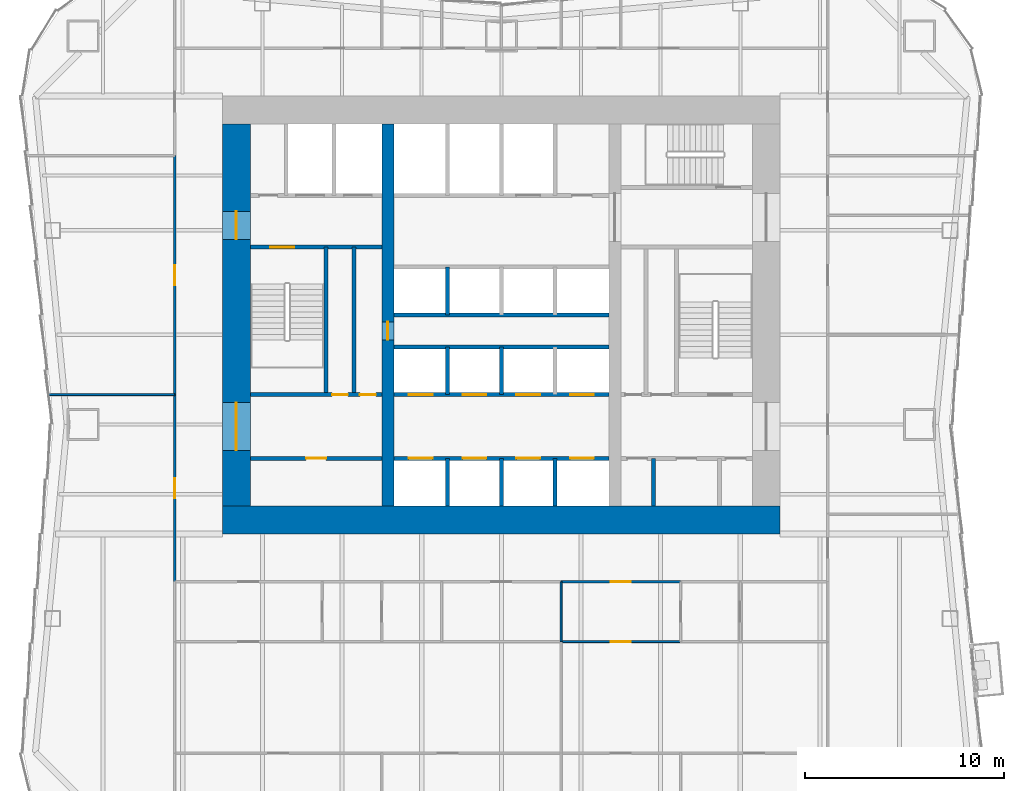
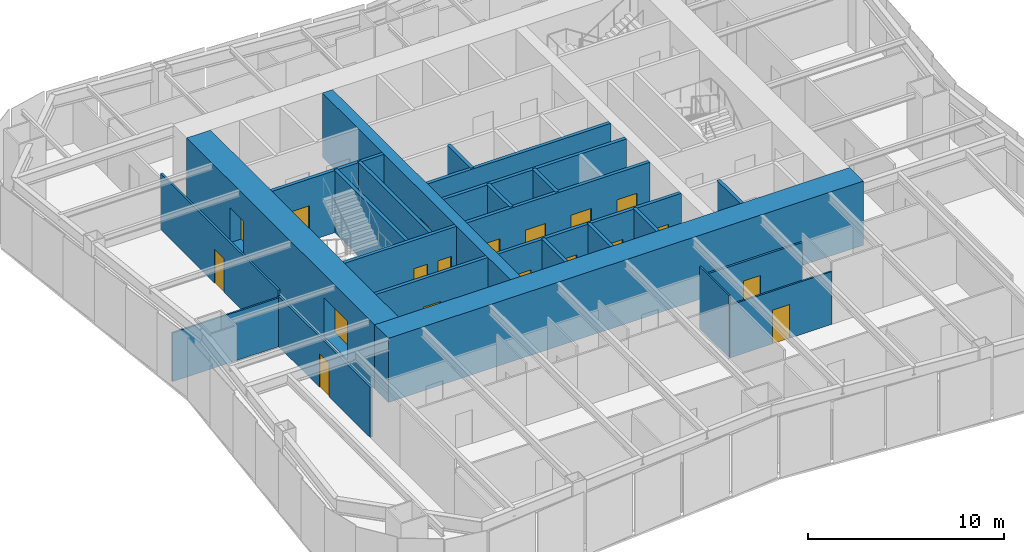
# One storey, part 4 of 9: 25 walls, 19 doors, 19 openings.
"""IFC4 building model written with IfcOpenShell, lengths in metres."""

import ifcopenshell
import ifcopenshell.guid

model = None  # the IFC model being written
_history = None  # IfcOwnerHistory: only IFC2X3 demands one
_inside = {}  # id of a spatial element -> (the spatial element, [elements in it])
_under = {}  # id of a project, library or spatial element -> (it, [spatial elements below it])
_declared = {}  # id of a project -> (the project, [libraries it declares])
_typed = {}  # id of a type object -> (the type object, [elements of that type])
_made_of = {}  # id of a material, layer set ... -> (it, [elements and type objects made of it])


def new_model(schema):
    """Start an empty IFC model of exactly this schema.

    Asked for "IFC4X3", IfcOpenShell would pick the latest addendum, in which some entities
    have other attributes; the version numbers below select the first issue.
    IFC2X3 requires an IfcOwnerHistory on every rooted entity: one is made here for all.
    """
    global model, _history
    if schema == "IFC4X3":
        model = ifcopenshell.file(schema_version=(4, 3, 0, 0))
    else:
        model = ifcopenshell.file(schema=schema)
    _inside.clear()
    _under.clear()
    _declared.clear()
    _typed.clear()
    _made_of.clear()
    _history = None
    if model.schema == "IFC2X3":
        org = make("IfcOrganization", Name="unknown")
        user = make(
            "IfcPersonAndOrganization",
            ThePerson=make("IfcPerson", FamilyName="unknown"),
            TheOrganization=org,
        )
        app = make(
            "IfcApplication",
            ApplicationDeveloper=org,
            Version="unknown",
            ApplicationFullName="unknown",
            ApplicationIdentifier="unknown",
        )
        _history = make(
            "IfcOwnerHistory",
            OwningUser=user,
            OwningApplication=app,
            ChangeAction="ADDED",
            CreationDate=0,
        )
    return model


def make(cls, **values):
    """One entity of the class cls with the attributes given. An attribute that is None is left unset."""
    return model.create_entity(
        cls, **{name: value for name, value in values.items() if value is not None}
    )


def rooted(cls, **values):
    """An entity with a GlobalId (a new one), such as an element, a storey or a relation."""
    return make(cls, GlobalId=ifcopenshell.guid.new(), OwnerHistory=_history, **values)


def si_unit(unit_type, name, prefix=None):
    """IfcSIUnit, for example si_unit("LENGTHUNIT", "METRE", prefix="MILLI")."""
    return make("IfcSIUnit", UnitType=unit_type, Prefix=prefix, Name=name)


def assignment(units):
    """IfcUnitAssignment: the units of a project."""
    return None if units is None else make("IfcUnitAssignment", Units=units)


def point(xyz):
    """IfcCartesianPoint."""
    return None if xyz is None else make("IfcCartesianPoint", Coordinates=xyz)


def direction(xyz):
    """IfcDirection."""
    return None if xyz is None else make("IfcDirection", DirectionRatios=xyz)


def frame(location, z_axis=None, x_axis=None):
    """IfcAxis2Placement3D, a coordinate frame: its origin and axes. An axis left out is left unset."""
    return make(
        "IfcAxis2Placement3D",
        Location=point(location),
        Axis=direction(z_axis),
        RefDirection=direction(x_axis),
    )


def frame_2d(location, x_axis=None):
    """IfcAxis2Placement2D, a coordinate frame in the plane: its origin and x axis."""
    return make(
        "IfcAxis2Placement2D", Location=point(location), RefDirection=direction(x_axis)
    )


def origin():
    """The frame at (0, 0, 0) with its axes left unset."""
    return frame((0.0, 0.0, 0.0))


def place(relative_to, where):
    """IfcLocalPlacement: puts the frame where relative to a parent placement (None: the world)."""
    return make(
        "IfcLocalPlacement", PlacementRelTo=relative_to, RelativePlacement=where
    )


def context(
    kind, dimensions, precision=None, world=None, true_north=None, identifier=None
):
    """IfcGeometricRepresentationContext, for example the 3D "Model" context."""
    return make(
        "IfcGeometricRepresentationContext",
        ContextIdentifier=identifier,
        ContextType=kind,
        CoordinateSpaceDimension=dimensions,
        Precision=precision,
        WorldCoordinateSystem=world,
        TrueNorth=true_north,
    )


def subcontext(parent, identifier, kind, view, scale=None):
    """IfcGeometricRepresentationSubContext, for example "Body" below "Model"."""
    return make(
        "IfcGeometricRepresentationSubContext",
        ContextIdentifier=identifier,
        ContextType=kind,
        ParentContext=parent,
        TargetScale=scale,
        TargetView=view,
    )


def project(units=None, contexts=None):
    """IfcProject with its units and contexts."""
    return rooted(
        "IfcProject",
        Name="project",
        RepresentationContexts=contexts,
        UnitsInContext=assignment(units),
    )


def spatial(cls, under=None, at=None, **own):
    """A site, building, storey or space (cls), placed at a placement, below another one or the project."""
    s = rooted(cls, ObjectPlacement=at, **own)
    if under is not None:
        _under.setdefault(under.id(), (under, []))[1].append(s)
    return s


def profile(cls, at=None, kind="AREA", **sizes):
    """A parametric profile (cls). Its sizes go by their IFC names, for example OverallWidth=200.0."""
    return make(cls, ProfileType=kind, Position=at, **sizes)


def rectangle(**sizes):
    """IfcRectangleProfileDef."""
    return profile("IfcRectangleProfileDef", **sizes)


def extrude(swept, where, along, depth):
    """IfcExtrudedAreaSolid: the profile swept, set in the frame where, extruded along a direction by depth."""
    return make(
        "IfcExtrudedAreaSolid",
        SweptArea=swept,
        Position=where,
        ExtrudedDirection=direction(along),
        Depth=depth,
    )


def shape(context_of_items, identifier, shape_type, items):
    """IfcShapeRepresentation: the items that make up one representation, for example the "Body"."""
    return make(
        "IfcShapeRepresentation",
        ContextOfItems=context_of_items,
        RepresentationIdentifier=identifier,
        RepresentationType=shape_type,
        Items=items,
    )


def material(Name=None, Category=None):
    """IfcMaterial."""
    return make("IfcMaterial", Name=Name, Category=Category)


def layer(
    of_material, thickness, ventilated=None, Name=None, Category=None, Priority=None
):
    """IfcMaterialLayer: one layer of a wall or slab, of a material (None: an air gap)."""
    return make(
        "IfcMaterialLayer",
        Material=of_material,
        LayerThickness=thickness,
        IsVentilated=ventilated,
        Name=Name,
        Category=Category,
        Priority=Priority,
    )


def layer_set(layers, Name=None):
    """IfcMaterialLayerSet."""
    return make("IfcMaterialLayerSet", MaterialLayers=layers, LayerSetName=Name)


def made_of(thing, what):
    """Note that an element or type object is made of a material, layer set ...; save() writes the relation."""
    if what is not None:
        _made_of.setdefault(what.id(), (what, []))[1].append(thing)
    return thing


def type_object(cls, material=None, **own):
    """A type object (cls), such as IfcWallType, which elements share."""
    return made_of(rooted(cls, **own), material)


def element(
    cls,
    number,
    at=None,
    inside=None,
    cuts=None,
    type_object=None,
    material=None,
    context=None,
    identifier="Body",
    shape_type=None,
    held_by="IfcProductDefinitionShape",
    body=None,
    shapes=None,
    **own,
):
    """One element of the class cls, such as IfcWall. Its Tag is "e" and its number.

    at: its placement. inside: the storey or other place that contains it. cuts: it is an
    opening in that element (IfcRelVoidsElement). A single representation is given by context,
    identifier, shape_type and body (its items); several are given by shapes. held_by: the class
    of the entity that holds the representations. save() writes the other relations.
    """
    e = rooted(cls, Tag="e%d" % number, ObjectPlacement=at, **own)
    if body is not None:
        shapes = [shape(context, identifier, shape_type, body)]
    if shapes is not None:
        e.Representation = make(held_by, Representations=shapes)
    if inside is not None:
        _inside.setdefault(inside.id(), (inside, []))[1].append(e)
    if cuts is not None:
        rooted(
            "IfcRelVoidsElement", RelatingBuildingElement=cuts, RelatedOpeningElement=e
        )
    if type_object is not None:
        _typed.setdefault(type_object.id(), (type_object, []))[1].append(e)
    return made_of(e, material)


def fill(opening, filler):
    """IfcRelFillsElement: the door or window that sits in an opening."""
    return rooted(
        "IfcRelFillsElement",
        RelatingOpeningElement=opening,
        RelatedBuildingElement=filler,
    )


def aggregate(whole, parts):
    """IfcRelAggregates: a whole, such as a stair, and the parts it consists of."""
    return rooted("IfcRelAggregates", RelatingObject=whole, RelatedObjects=parts)


def save(model, path):
    """Write the relations noted so far, then the file.

    IfcRelAggregates (storeys below a building ...), IfcRelContainedInSpatialStructure (elements
    in a storey), IfcRelDefinesByType, IfcRelAssociatesMaterial and IfcRelDeclares: one each for
    every whole, place, type object, material and project.
    """
    for whole, parts in _under.values():
        aggregate(whole, parts)
    for where, things in _inside.values():
        rooted(
            "IfcRelContainedInSpatialStructure",
            RelatedElements=things,
            RelatingStructure=where,
        )
    for kind, things in _typed.values():
        rooted("IfcRelDefinesByType", RelatedObjects=things, RelatingType=kind)
    for what, things in _made_of.values():
        rooted("IfcRelAssociatesMaterial", RelatedObjects=things, RelatingMaterial=what)
    for by, libraries in _declared.values():
        rooted("IfcRelDeclares", RelatingContext=by, RelatedDefinitions=libraries)
    model.write(path)


model = new_model("IFC4")

# Units and contexts
model_context = context("Model", 3, precision=1e-05, world=origin(), true_north=direction((0.0, 1.0)))
body_context = subcontext(model_context, "Body", "Model", "MODEL_VIEW")
ifc_project = project(units=[si_unit("LENGTHUNIT", "METRE"), si_unit("AREAUNIT", "SQUARE_METRE"), si_unit("VOLUMEUNIT", "CUBIC_METRE"), si_unit("PLANEANGLEUNIT", "RADIAN"), si_unit("MASSUNIT", "GRAM", prefix="KILO")], contexts=[model_context])

# Site, building, storey
site_placement = place(None, origin())
site = spatial("IfcSite", under=ifc_project, at=site_placement, CompositionType="ELEMENT")
building_placement = place(site_placement, origin())
building = spatial("IfcBuilding", under=site, at=building_placement, Name="Verdant Reach Tower", CompositionType="ELEMENT")
storey_placement = place(building_placement, frame((0.0, 0.0, 30.0)))
storey = spatial("IfcBuildingStorey", under=building, at=storey_placement, Name="L06", CompositionType="ELEMENT", Elevation=30.0)

# Wall, opening, door
ifc_material_1 = material(Name="Gypsum board on steel studs", Category="steel")
ifc_layer_1 = layer(ifc_material_1, 0.199951171875)
ifc_layer_set_1 = layer_set([ifc_layer_1], Name="CO-WALL-ROOM")
wall_type_1 = type_object("IfcWallType", Name="CO-WALL-ROOM", PredefinedType="PARTITIONING", material=ifc_layer_set_1)
wall_1_placement = place(storey_placement, frame((-12.60009765625, 20.800048828125, 0.0), z_axis=(0.0, 0.0, 1.0), x_axis=(1.0, 0.0, 0.0)))
wall_1 = element("IfcWall", 1, at=wall_1_placement, inside=storey, type_object=wall_type_1, Name="Core partition, L06", PredefinedType="PARTITIONING", context=body_context, shape_type="SweptSolid", body=[
    extrude(rectangle(XDim=6.60009765625, YDim=0.199951171875, at=frame_2d((3.300048828125, 0.0))), origin(), (0.0, 0.0, 1.0), 3.8701171875),
])
opening_1_placement = place(wall_1_placement, frame((2.800048828125, 0.0, 0.0)))
opening_1 = element("IfcOpeningElement", 2, at=opening_1_placement, cuts=wall_1, Name="Opening CD", PredefinedType="OPENING", context=body_context, shape_type="SweptSolid", body=[
    extrude(rectangle(XDim=1.0, YDim=2.10009765625, at=frame_2d((0.5, 1.050048828125))), frame((0.0, 0.10986328125, 0.0), z_axis=(0.0, -1.0, 0.0), x_axis=(1.0, 0.0, 0.0)), (0.0, 0.0, 1.0), 0.219970703125),
])
ifc_material_2 = material(Name="Timber", Category="wood")
door_type_1 = type_object("IfcDoorType", Name="CO-DOOR-ROOM", OperationType="NOTDEFINED", PredefinedType="DOOR", material=ifc_material_2)
door_1_placement = place(opening_1_placement, origin())
door_1 = element("IfcDoor", 3, at=door_1_placement, inside=storey, type_object=door_type_1, Name="Core room door, L06", OperationType="SINGLE_SWING_LEFT", OverallHeight=2.10009765625, OverallWidth=1.0, PredefinedType="DOOR", context=body_context, shape_type="SweptSolid", body=[
    extrude(rectangle(XDim=1.0, YDim=2.10009765625, at=frame_2d((0.5, 1.050048828125))), frame((0.0, 0.02490234375, 0.0), z_axis=(0.0, -1.0, 0.0), x_axis=(1.0, 0.0, 0.0)), (0.0, 0.0, 1.0), 0.050048828125),
])
fill(opening_1, door_1)

# Walls
wall_2_placement = place(storey_placement, frame((-7.39990234375, 24.0, 0.0), z_axis=(0.0, 0.0, 1.0), x_axis=(0.0, 1.0, 0.0)))
element("IfcWall", 4, at=wall_2_placement, inside=storey, type_object=wall_type_1, Name="Core partition, L06", PredefinedType="PARTITIONING", context=body_context, shape_type="SweptSolid", body=[
    extrude(rectangle(XDim=7.39990234375, YDim=0.199951171875, at=frame_2d((3.699951171875, 0.0))), origin(), (0.0, 0.0, 1.0), 3.8701171875),
])
wall_3_placement = place(storey_placement, frame((7.64990234375, 18.39990234375, 0.0), z_axis=(0.0, 0.0, 1.0), x_axis=(0.0, 1.0, 0.0)))
element("IfcWall", 5, at=wall_3_placement, inside=storey, type_object=wall_type_1, Name="Core partition, L06", PredefinedType="PARTITIONING", context=body_context, shape_type="SweptSolid", body=[
    extrude(rectangle(XDim=2.400146484375, YDim=0.199951171875, at=frame_2d((1.2001953125, 0.0))), origin(), (0.0, 0.0, 1.0), 3.8701171875),
])

# Wall, openings, doors
ifc_material_3 = material(Name="Concrete C40/50", Category="concrete")
ifc_layer_2 = layer(ifc_material_3, 0.199951171875)
ifc_layer_set_2 = layer_set([ifc_layer_2], Name="CO-WALL-SHAFT")
wall_type_2 = type_object("IfcWallType", Name="CO-WALL-SHAFT", PredefinedType="PARTITIONING", material=ifc_layer_set_2)
wall_4_placement = place(storey_placement, frame((-5.39990234375, 20.800048828125, 0.0), z_axis=(0.0, 0.0, 1.0), x_axis=(1.0, 0.0, 0.0)))
wall_4 = element("IfcWall", 6, at=wall_4_placement, inside=storey, type_object=wall_type_2, Name="Lift shaft wall, L06", PredefinedType="PARTITIONING", context=body_context, shape_type="SweptSolid", body=[
    extrude(rectangle(XDim=10.7998046875, YDim=0.199951171875, at=frame_2d((5.39990234375, 0.0))), origin(), (0.0, 0.0, 1.0), 3.8701171875),
])
opening_2_placement = place(wall_4_placement, frame((0.75, 0.0, 0.0)))
opening_2 = element("IfcOpeningElement", 7, at=opening_2_placement, cuts=wall_4, Name="Opening LD-A1", PredefinedType="OPENING", context=body_context, shape_type="SweptSolid", body=[
    extrude(rectangle(XDim=1.199951171875, YDim=2.199951171875, at=frame_2d((0.60009765625, 1.10009765625))), frame((0.0, 0.10986328125, 0.0), z_axis=(0.0, -1.0, 0.0), x_axis=(1.0, 0.0, 0.0)), (0.0, 0.0, 1.0), 0.219970703125),
])
opening_3_placement = place(wall_4_placement, frame((3.449951171875, 0.0, 0.0)))
opening_3 = element("IfcOpeningElement", 8, at=opening_3_placement, cuts=wall_4, Name="Opening LD-A2", PredefinedType="OPENING", context=body_context, shape_type="SweptSolid", body=[
    extrude(rectangle(XDim=1.199951171875, YDim=2.199951171875, at=frame_2d((0.60009765625, 1.10009765625))), frame((0.0, 0.10986328125, 0.0), z_axis=(0.0, -1.0, 0.0), x_axis=(1.0, 0.0, 0.0)), (0.0, 0.0, 1.0), 0.219970703125),
])
opening_4_placement = place(wall_4_placement, frame((6.14990234375, 0.0, 0.0)))
opening_4 = element("IfcOpeningElement", 9, at=opening_4_placement, cuts=wall_4, Name="Opening LD-A3", PredefinedType="OPENING", context=body_context, shape_type="SweptSolid", body=[
    extrude(rectangle(XDim=1.199951171875, YDim=2.199951171875, at=frame_2d((0.60009765625, 1.10009765625))), frame((0.0, 0.10986328125, 0.0), z_axis=(0.0, -1.0, 0.0), x_axis=(1.0, 0.0, 0.0)), (0.0, 0.0, 1.0), 0.219970703125),
])
opening_5_placement = place(wall_4_placement, frame((8.85009765625, 0.0, 0.0)))
opening_5 = element("IfcOpeningElement", 10, at=opening_5_placement, cuts=wall_4, Name="Opening LD-A4", PredefinedType="OPENING", context=body_context, shape_type="SweptSolid", body=[
    extrude(rectangle(XDim=1.199951171875, YDim=2.199951171875, at=frame_2d((0.60009765625, 1.10009765625))), frame((0.0, 0.10986328125, 0.0), z_axis=(0.0, -1.0, 0.0), x_axis=(1.0, 0.0, 0.0)), (0.0, 0.0, 1.0), 0.219970703125),
])
ifc_material_4 = material(Name="Stainless steel", Category="steel")
door_type_2 = type_object("IfcDoorType", Name="CO-DOOR-LANDING", OperationType="SLIDING_TO_LEFT", PredefinedType="DOOR", material=ifc_material_4)
door_2_placement = place(opening_2_placement, origin())
door_2 = element("IfcDoor", 11, at=door_2_placement, inside=storey, type_object=door_type_2, Name="Landing door A1, L06", OperationType="SLIDING_TO_LEFT", OverallHeight=2.199951171875, OverallWidth=1.199951171875, PredefinedType="DOOR", context=body_context, shape_type="SweptSolid", body=[
    extrude(rectangle(XDim=1.199951171875, YDim=2.199951171875, at=frame_2d((0.60009765625, 1.10009765625))), frame((0.0, 0.02490234375, 0.0), z_axis=(0.0, -1.0, 0.0), x_axis=(1.0, 0.0, 0.0)), (0.0, 0.0, 1.0), 0.050048828125),
])
fill(opening_2, door_2)
door_3_placement = place(opening_3_placement, origin())
door_3 = element("IfcDoor", 12, at=door_3_placement, inside=storey, type_object=door_type_2, Name="Landing door A2, L06", OperationType="SLIDING_TO_LEFT", OverallHeight=2.199951171875, OverallWidth=1.199951171875, PredefinedType="DOOR", context=body_context, shape_type="SweptSolid", body=[
    extrude(rectangle(XDim=1.199951171875, YDim=2.199951171875, at=frame_2d((0.60009765625, 1.10009765625))), frame((0.0, 0.02490234375, 0.0), z_axis=(0.0, -1.0, 0.0), x_axis=(1.0, 0.0, 0.0)), (0.0, 0.0, 1.0), 0.050048828125),
])
fill(opening_3, door_3)
door_4_placement = place(opening_4_placement, origin())
door_4 = element("IfcDoor", 13, at=door_4_placement, inside=storey, type_object=door_type_2, Name="Landing door A3, L06", OperationType="SLIDING_TO_LEFT", OverallHeight=2.199951171875, OverallWidth=1.199951171875, PredefinedType="DOOR", context=body_context, shape_type="SweptSolid", body=[
    extrude(rectangle(XDim=1.199951171875, YDim=2.199951171875, at=frame_2d((0.60009765625, 1.10009765625))), frame((0.0, 0.02490234375, 0.0), z_axis=(0.0, -1.0, 0.0), x_axis=(1.0, 0.0, 0.0)), (0.0, 0.0, 1.0), 0.050048828125),
])
fill(opening_4, door_4)
door_5_placement = place(opening_5_placement, origin())
door_5 = element("IfcDoor", 14, at=door_5_placement, inside=storey, type_object=door_type_2, Name="Landing door A4, L06", OperationType="SLIDING_TO_LEFT", OverallHeight=2.199951171875, OverallWidth=1.199951171875, PredefinedType="DOOR", context=body_context, shape_type="SweptSolid", body=[
    extrude(rectangle(XDim=1.199951171875, YDim=2.199951171875, at=frame_2d((0.60009765625, 1.10009765625))), frame((0.0, 0.02490234375, 0.0), z_axis=(0.0, -1.0, 0.0), x_axis=(1.0, 0.0, 0.0)), (0.0, 0.0, 1.0), 0.050048828125),
])
fill(opening_5, door_5)

wall_5_placement = place(storey_placement, frame((-5.39990234375, 24.0, 0.0), z_axis=(0.0, 0.0, 1.0), x_axis=(1.0, 0.0, 0.0)))
wall_5 = element("IfcWall", 15, at=wall_5_placement, inside=storey, type_object=wall_type_2, Name="Lift shaft wall, L06", PredefinedType="PARTITIONING", context=body_context, shape_type="SweptSolid", body=[
    extrude(rectangle(XDim=10.7998046875, YDim=0.199951171875, at=frame_2d((5.39990234375, 0.0))), origin(), (0.0, 0.0, 1.0), 3.8701171875),
])
opening_6_placement = place(wall_5_placement, frame((0.75, 0.0, 0.0)))
opening_6 = element("IfcOpeningElement", 16, at=opening_6_placement, cuts=wall_5, Name="Opening LD-A5", PredefinedType="OPENING", context=body_context, shape_type="SweptSolid", body=[
    extrude(rectangle(XDim=1.199951171875, YDim=2.199951171875, at=frame_2d((0.60009765625, 1.10009765625))), frame((0.0, 0.10986328125, 0.0), z_axis=(0.0, -1.0, 0.0), x_axis=(1.0, 0.0, 0.0)), (0.0, 0.0, 1.0), 0.219970703125),
])
opening_7_placement = place(wall_5_placement, frame((3.449951171875, 0.0, 0.0)))
opening_7 = element("IfcOpeningElement", 17, at=opening_7_placement, cuts=wall_5, Name="Opening LD-A6", PredefinedType="OPENING", context=body_context, shape_type="SweptSolid", body=[
    extrude(rectangle(XDim=1.199951171875, YDim=2.199951171875, at=frame_2d((0.60009765625, 1.10009765625))), frame((0.0, 0.10986328125, 0.0), z_axis=(0.0, -1.0, 0.0), x_axis=(1.0, 0.0, 0.0)), (0.0, 0.0, 1.0), 0.219970703125),
])
opening_8_placement = place(wall_5_placement, frame((6.14990234375, 0.0, 0.0)))
opening_8 = element("IfcOpeningElement", 18, at=opening_8_placement, cuts=wall_5, Name="Opening LD-A7", PredefinedType="OPENING", context=body_context, shape_type="SweptSolid", body=[
    extrude(rectangle(XDim=1.199951171875, YDim=2.199951171875, at=frame_2d((0.60009765625, 1.10009765625))), frame((0.0, 0.10986328125, 0.0), z_axis=(0.0, -1.0, 0.0), x_axis=(1.0, 0.0, 0.0)), (0.0, 0.0, 1.0), 0.219970703125),
])
opening_9_placement = place(wall_5_placement, frame((8.85009765625, 0.0, 0.0)))
opening_9 = element("IfcOpeningElement", 19, at=opening_9_placement, cuts=wall_5, Name="Opening LD-A8", PredefinedType="OPENING", context=body_context, shape_type="SweptSolid", body=[
    extrude(rectangle(XDim=1.199951171875, YDim=2.199951171875, at=frame_2d((0.60009765625, 1.10009765625))), frame((0.0, 0.10986328125, 0.0), z_axis=(0.0, -1.0, 0.0), x_axis=(1.0, 0.0, 0.0)), (0.0, 0.0, 1.0), 0.219970703125),
])
door_6_placement = place(opening_6_placement, origin())
door_6 = element("IfcDoor", 20, at=door_6_placement, inside=storey, type_object=door_type_2, Name="Landing door A5, L06", OperationType="SLIDING_TO_LEFT", OverallHeight=2.199951171875, OverallWidth=1.199951171875, PredefinedType="DOOR", context=body_context, shape_type="SweptSolid", body=[
    extrude(rectangle(XDim=1.199951171875, YDim=2.199951171875, at=frame_2d((0.60009765625, 1.10009765625))), frame((0.0, 0.02490234375, 0.0), z_axis=(0.0, -1.0, 0.0), x_axis=(1.0, 0.0, 0.0)), (0.0, 0.0, 1.0), 0.050048828125),
])
fill(opening_6, door_6)
door_7_placement = place(opening_7_placement, origin())
door_7 = element("IfcDoor", 21, at=door_7_placement, inside=storey, type_object=door_type_2, Name="Landing door A6, L06", OperationType="SLIDING_TO_LEFT", OverallHeight=2.199951171875, OverallWidth=1.199951171875, PredefinedType="DOOR", context=body_context, shape_type="SweptSolid", body=[
    extrude(rectangle(XDim=1.199951171875, YDim=2.199951171875, at=frame_2d((0.60009765625, 1.10009765625))), frame((0.0, 0.02490234375, 0.0), z_axis=(0.0, -1.0, 0.0), x_axis=(1.0, 0.0, 0.0)), (0.0, 0.0, 1.0), 0.050048828125),
])
fill(opening_7, door_7)
door_8_placement = place(opening_8_placement, origin())
door_8 = element("IfcDoor", 22, at=door_8_placement, inside=storey, type_object=door_type_2, Name="Landing door A7, L06", OperationType="SLIDING_TO_LEFT", OverallHeight=2.199951171875, OverallWidth=1.199951171875, PredefinedType="DOOR", context=body_context, shape_type="SweptSolid", body=[
    extrude(rectangle(XDim=1.199951171875, YDim=2.199951171875, at=frame_2d((0.60009765625, 1.10009765625))), frame((0.0, 0.02490234375, 0.0), z_axis=(0.0, -1.0, 0.0), x_axis=(1.0, 0.0, 0.0)), (0.0, 0.0, 1.0), 0.050048828125),
])
fill(opening_8, door_8)
door_9_placement = place(opening_9_placement, origin())
door_9 = element("IfcDoor", 23, at=door_9_placement, inside=storey, type_object=door_type_2, Name="Landing door A8, L06", OperationType="SLIDING_TO_LEFT", OverallHeight=2.199951171875, OverallWidth=1.199951171875, PredefinedType="DOOR", context=body_context, shape_type="SweptSolid", body=[
    extrude(rectangle(XDim=1.199951171875, YDim=2.199951171875, at=frame_2d((0.60009765625, 1.10009765625))), frame((0.0, 0.02490234375, 0.0), z_axis=(0.0, -1.0, 0.0), x_axis=(1.0, 0.0, 0.0)), (0.0, 0.0, 1.0), 0.050048828125),
])
fill(opening_9, door_9)

# Walls
for number, where, z_axis, x_axis, name in (
    (24, (-5.39990234375, 26.39990234375, 0.0), (0.0, 0.0, 1.0), (1.0, 0.0, 0.0), "Lift shaft wall, L06"),
    (25, (-5.39990234375, 28.0, 0.0), (0.0, 0.0, 1.0), (1.0, 0.0, 0.0), "Lift shaft wall, L06"),
):
    element("IfcWall", number, at=place(storey_placement, frame(where, z_axis=z_axis, x_axis=x_axis)), inside=storey, type_object=wall_type_2, Name=name, PredefinedType="PARTITIONING", context=body_context, shape_type="SweptSolid", body=[
        extrude(rectangle(XDim=10.7998046875, YDim=0.199951171875, at=frame_2d((5.39990234375, 0.0))), origin(), (0.0, 0.0, 1.0), 3.8701171875),
    ])
wall_6_placement = place(storey_placement, frame((-2.699951171875, 18.39990234375, 0.0), z_axis=(0.0, 0.0, 1.0), x_axis=(0.0, 1.0, 0.0)))
element("IfcWall", 26, at=wall_6_placement, inside=storey, type_object=wall_type_2, Name="Lift shaft wall, L06", PredefinedType="PARTITIONING", context=body_context, shape_type="SweptSolid", body=[
    extrude(rectangle(XDim=2.400146484375, YDim=0.199951171875, at=frame_2d((1.2001953125, 0.0))), origin(), (0.0, 0.0, 1.0), 3.8701171875),
])
for number, where, z_axis, x_axis, name in (
    (27, (-2.699951171875, 24.0, 0.0), (0.0, 0.0, 1.0), (0.0, 1.0, 0.0), "Lift shaft wall, L06"),
    (28, (-2.699951171875, 28.0, 0.0), (0.0, 0.0, 1.0), (0.0, 1.0, 0.0), "Lift shaft wall, L06"),
):
    element("IfcWall", number, at=place(storey_placement, frame(where, z_axis=z_axis, x_axis=x_axis)), inside=storey, type_object=wall_type_2, Name=name, PredefinedType="PARTITIONING", context=body_context, shape_type="SweptSolid", body=[
        extrude(rectangle(XDim=2.39990234375, YDim=0.199951171875, at=frame_2d((1.199951171875, 0.0))), origin(), (0.0, 0.0, 1.0), 3.8701171875),
    ])
wall_7_placement = place(storey_placement, frame((0.0, 18.39990234375, 0.0), z_axis=(0.0, 0.0, 1.0), x_axis=(0.0, 1.0, 0.0)))
element("IfcWall", 29, at=wall_7_placement, inside=storey, type_object=wall_type_2, Name="Lift shaft wall, L06", PredefinedType="PARTITIONING", context=body_context, shape_type="SweptSolid", body=[
    extrude(rectangle(XDim=2.400146484375, YDim=0.199951171875, at=frame_2d((1.2001953125, 0.0))), origin(), (0.0, 0.0, 1.0), 3.8701171875),
])
wall_8_placement = place(storey_placement, frame((0.0, 24.0, 0.0), z_axis=(0.0, 0.0, 1.0), x_axis=(0.0, 1.0, 0.0)))
element("IfcWall", 30, at=wall_8_placement, inside=storey, type_object=wall_type_2, Name="Lift shaft wall, L06", PredefinedType="PARTITIONING", context=body_context, shape_type="SweptSolid", body=[
    extrude(rectangle(XDim=2.39990234375, YDim=0.199951171875, at=frame_2d((1.199951171875, 0.0))), origin(), (0.0, 0.0, 1.0), 3.8701171875),
])
wall_9_placement = place(storey_placement, frame((2.699951171875, 18.39990234375, 0.0), z_axis=(0.0, 0.0, 1.0), x_axis=(0.0, 1.0, 0.0)))
element("IfcWall", 31, at=wall_9_placement, inside=storey, type_object=wall_type_2, Name="Lift shaft wall, L06", PredefinedType="PARTITIONING", context=body_context, shape_type="SweptSolid", body=[
    extrude(rectangle(XDim=2.400146484375, YDim=0.199951171875, at=frame_2d((1.2001953125, 0.0))), origin(), (0.0, 0.0, 1.0), 3.8701171875),
])

# Wall, openings, doors
ifc_layer_3 = layer(ifc_material_3, 0.199951171875)
ifc_layer_set_3 = layer_set([ifc_layer_3], Name="CO-WALL-STAIR")
wall_type_3 = type_object("IfcWallType", Name="CO-WALL-STAIR", PredefinedType="PARTITIONING", material=ifc_layer_set_3)
wall_10_placement = place(storey_placement, frame((-12.60009765625, 24.0, 0.0), z_axis=(0.0, 0.0, 1.0), x_axis=(1.0, 0.0, 0.0)))
wall_10 = element("IfcWall", 32, at=wall_10_placement, inside=storey, type_object=wall_type_3, Name="Stair enclosure wall, L06", PredefinedType="PARTITIONING", context=body_context, shape_type="SweptSolid", body=[
    extrude(rectangle(XDim=6.60009765625, YDim=0.199951171875, at=frame_2d((3.300048828125, 0.0))), origin(), (0.0, 0.0, 1.0), 3.8701171875),
])
opening_10_placement = place(wall_10_placement, frame((4.10009765625, 0.0, 0.0)))
opening_10 = element("IfcOpeningElement", 33, at=opening_10_placement, cuts=wall_10, Name="Opening CDN", PredefinedType="OPENING", context=body_context, shape_type="SweptSolid", body=[
    extrude(rectangle(XDim=0.800048828125, YDim=2.10009765625, at=frame_2d((0.39990234375, 1.050048828125))), frame((0.0, 0.10986328125, 0.0), z_axis=(0.0, -1.0, 0.0), x_axis=(1.0, 0.0, 0.0)), (0.0, 0.0, 1.0), 0.219970703125),
])
opening_11_placement = place(wall_10_placement, frame((5.5, 0.0, 0.0)))
opening_11 = element("IfcOpeningElement", 34, at=opening_11_placement, cuts=wall_10, Name="Opening CDN", PredefinedType="OPENING", context=body_context, shape_type="SweptSolid", body=[
    extrude(rectangle(XDim=0.800048828125, YDim=2.10009765625, at=frame_2d((0.39990234375, 1.050048828125))), frame((0.0, 0.10986328125, 0.0), z_axis=(0.0, -1.0, 0.0), x_axis=(1.0, 0.0, 0.0)), (0.0, 0.0, 1.0), 0.219970703125),
])
door_type_3 = type_object("IfcDoorType", Name="CO-DOOR-ROOM-NARROW", OperationType="NOTDEFINED", PredefinedType="DOOR", material=ifc_material_2)
door_10_placement = place(opening_10_placement, origin())
door_10 = element("IfcDoor", 35, at=door_10_placement, inside=storey, type_object=door_type_3, Name="Core room door, L06", OperationType="SINGLE_SWING_LEFT", OverallHeight=2.10009765625, OverallWidth=0.800048828125, PredefinedType="DOOR", context=body_context, shape_type="SweptSolid", body=[
    extrude(rectangle(XDim=0.800048828125, YDim=2.10009765625, at=frame_2d((0.39990234375, 1.050048828125))), frame((0.0, 0.02490234375, 0.0), z_axis=(0.0, -1.0, 0.0), x_axis=(1.0, 0.0, 0.0)), (0.0, 0.0, 1.0), 0.050048828125),
])
fill(opening_10, door_10)
door_11_placement = place(opening_11_placement, origin())
door_11 = element("IfcDoor", 36, at=door_11_placement, inside=storey, type_object=door_type_3, Name="Core room door, L06", OperationType="SINGLE_SWING_RIGHT", OverallHeight=2.10009765625, OverallWidth=0.800048828125, PredefinedType="DOOR", context=body_context, shape_type="SweptSolid", body=[
    extrude(rectangle(XDim=0.800048828125, YDim=2.10009765625, at=frame_2d((0.39990234375, 1.050048828125))), frame((0.0, 0.02490234375, 0.0), z_axis=(0.0, -1.0, 0.0), x_axis=(1.0, 0.0, 0.0)), (0.0, 0.0, 1.0), 0.050048828125),
])
fill(opening_11, door_11)

# Wall, opening, door
wall_11_placement = place(storey_placement, frame((-12.60009765625, 31.39990234375, 0.0), z_axis=(0.0, 0.0, 1.0), x_axis=(1.0, 0.0, 0.0)))
wall_11 = element("IfcWall", 37, at=wall_11_placement, inside=storey, type_object=wall_type_3, Name="Stair enclosure wall, L06", PredefinedType="PARTITIONING", context=body_context, shape_type="SweptSolid", body=[
    extrude(rectangle(XDim=6.60009765625, YDim=0.199951171875, at=frame_2d((3.300048828125, 0.0))), origin(), (0.0, 0.0, 1.0), 3.8701171875),
])
opening_12_placement = place(wall_11_placement, frame((1.0, 0.0, 0.0)))
opening_12 = element("IfcOpeningElement", 38, at=opening_12_placement, cuts=wall_11, Name="Opening SD", PredefinedType="OPENING", context=body_context, shape_type="SweptSolid", body=[
    extrude(rectangle(XDim=1.199951171875, YDim=2.199951171875, at=frame_2d((0.60009765625, 1.10009765625))), frame((0.0, 0.10986328125, 0.0), z_axis=(0.0, -1.0, 0.0), x_axis=(1.0, 0.0, 0.0)), (0.0, 0.0, 1.0), 0.219970703125),
])
ifc_material_5 = material(Name="Steel", Category="steel")
door_type_4 = type_object("IfcDoorType", Name="CO-DOOR-STAIR", OperationType="NOTDEFINED", PredefinedType="DOOR", material=ifc_material_5)
door_12_placement = place(opening_12_placement, origin())
door_12 = element("IfcDoor", 39, at=door_12_placement, inside=storey, type_object=door_type_4, Name="Stair door, L06", OperationType="SINGLE_SWING_RIGHT", OverallHeight=2.199951171875, OverallWidth=1.199951171875, PredefinedType="DOOR", context=body_context, shape_type="SweptSolid", body=[
    extrude(rectangle(XDim=1.199951171875, YDim=2.199951171875, at=frame_2d((0.60009765625, 1.10009765625))), frame((0.0, 0.02490234375, 0.0), z_axis=(0.0, -1.0, 0.0), x_axis=(1.0, 0.0, 0.0)), (0.0, 0.0, 1.0), 0.050048828125),
])
fill(opening_12, door_12)

# Walls
wall_12_placement = place(storey_placement, frame((-8.800048828125, 24.0, 0.0), z_axis=(0.0, 0.0, 1.0), x_axis=(0.0, 1.0, 0.0)))
element("IfcWall", 40, at=wall_12_placement, inside=storey, type_object=wall_type_3, Name="Stair enclosure wall, L06", PredefinedType="PARTITIONING", context=body_context, shape_type="SweptSolid", body=[
    extrude(rectangle(XDim=7.39990234375, YDim=0.199951171875, at=frame_2d((3.699951171875, 0.0))), origin(), (0.0, 0.0, 1.0), 3.8701171875),
])
ifc_layer_4 = layer(ifc_material_1, 0.10009765625)
ifc_layer_set_4 = layer_set([ifc_layer_4], Name="FL-W1 Partition 100")
wall_type_4 = type_object("IfcWallType", Name="FL-W1 Partition 100", PredefinedType="PARTITIONING", material=ifc_layer_set_4)
wall_13_placement = place(storey_placement, frame((3.0, 11.60009765625, 0.0), z_axis=(0.0, 0.0, 1.0), x_axis=(0.0, 1.0, 0.0)))
element("IfcWall", 41, at=wall_13_placement, inside=storey, type_object=wall_type_4, Name="Partition 06.30", PredefinedType="PARTITIONING", context=body_context, shape_type="SweptSolid", body=[
    extrude(rectangle(XDim=3.0, YDim=0.10009765625, at=frame_2d((1.5, 0.0))), origin(), (0.0, 0.0, 1.0), 3.8701171875),
])

# Wall, opening, door
wall_14_placement = place(storey_placement, frame((9.00390625, 11.60009765625, 0.0), z_axis=(0.0, 0.0, 1.0), x_axis=(-1.0, 0.0, 0.0)))
wall_14 = element("IfcWall", 42, at=wall_14_placement, inside=storey, type_object=wall_type_4, Name="Partition 06.39", PredefinedType="PARTITIONING", context=body_context, shape_type="SweptSolid", body=[
    extrude(rectangle(XDim=6.00390625, YDim=0.10009765625, at=frame_2d((3.001953125, 0.0))), origin(), (0.0, 0.0, 1.0), 3.2900390625),
])
opening_13_placement = place(wall_14_placement, frame((2.501953125, 0.0, 0.0)))
opening_13 = element("IfcOpeningElement", 43, at=opening_13_placement, cuts=wall_14, Name="Opening D3", PredefinedType="OPENING", context=body_context, shape_type="SweptSolid", body=[
    extrude(rectangle(XDim=1.0, YDim=2.10009765625, at=frame_2d((0.5, 1.050048828125))), frame((0.0, 0.06005859375, 0.0), z_axis=(0.0, -1.0, 0.0), x_axis=(1.0, 0.0, 0.0)), (0.0, 0.0, 1.0), 0.1201171875),
])
ifc_material_6 = material(Name="Painted timber door leaf", Category="wood")
door_type_5 = type_object("IfcDoorType", Name="FL-D3 Door 1000x2100", OperationType="NOTDEFINED", PredefinedType="DOOR", material=ifc_material_6)
door_13_placement = place(opening_13_placement, origin())
door_13 = element("IfcDoor", 44, at=door_13_placement, inside=storey, type_object=door_type_5, Name="Door 06-024", OperationType="SINGLE_SWING_RIGHT", OverallHeight=2.10009765625, OverallWidth=1.0, PredefinedType="DOOR", context=body_context, shape_type="SweptSolid", body=[
    extrude(rectangle(XDim=1.0, YDim=2.10009765625, at=frame_2d((0.5, 1.050048828125))), frame((0.0, 0.02490234375, 0.0), z_axis=(0.0, -1.0, 0.0), x_axis=(1.0, 0.0, 0.0)), (0.0, 0.0, 1.0), 0.050048828125),
])
fill(opening_13, door_13)

# Wall
wall_15_placement = place(storey_placement, frame((-16.39990234375, 24.0, 0.0), z_axis=(0.0, 0.0, 1.0), x_axis=(-1.0, 0.0, 0.0)))
element("IfcWall", 45, at=wall_15_placement, inside=storey, type_object=wall_type_4, Name="Partition 06.56", PredefinedType="PARTITIONING", context=body_context, shape_type="SweptSolid", body=[
    extrude(rectangle(XDim=6.31640625, YDim=0.10009765625, at=frame_2d((3.158203125, 0.0))), origin(), (0.0, 0.0, 1.0), 3.0400390625),
])

# Wall, opening, door
ifc_material_7 = material(Name="Gypsum board on steel studs, fire rated", Category="steel")
ifc_layer_5 = layer(ifc_material_7, 0.125)
ifc_layer_set_5 = layer_set([ifc_layer_5], Name="FL-W2 Corridor wall 125")
wall_type_5 = type_object("IfcWallType", Name="FL-W2 Corridor wall 125", PredefinedType="PARTITIONING", material=ifc_layer_set_5)
wall_16_placement = place(storey_placement, frame((9.0, 14.60009765625, 0.0), z_axis=(0.0, 0.0, 1.0), x_axis=(-1.0, 0.0, 0.0)))
wall_16 = element("IfcWall", 46, at=wall_16_placement, inside=storey, type_object=wall_type_5, Name="Partition 06.05", PredefinedType="PARTITIONING", context=body_context, shape_type="SweptSolid", body=[
    extrude(rectangle(XDim=6.0, YDim=0.125, at=frame_2d((3.0, 0.0))), origin(), (0.0, 0.0, 1.0), 3.2900390625),
])
opening_14_placement = place(wall_16_placement, frame((2.5, 0.0, 0.0)))
opening_14 = element("IfcOpeningElement", 47, at=opening_14_placement, cuts=wall_16, Name="Opening D2", PredefinedType="OPENING", context=body_context, shape_type="SweptSolid", body=[
    extrude(rectangle(XDim=1.0, YDim=2.10009765625, at=frame_2d((0.5, 1.050048828125))), frame((0.0, 0.072509765625, 0.0), z_axis=(0.0, -1.0, 0.0), x_axis=(1.0, 0.0, 0.0)), (0.0, 0.0, 1.0), 0.14501953125),
])
ifc_material_8 = material(Name="Timber door leaf, fire rated", Category="wood")
door_type_6 = type_object("IfcDoorType", Name="FL-D2 Entrance door 1000x2100 FD30", OperationType="NOTDEFINED", PredefinedType="DOOR", material=ifc_material_8)
door_14_placement = place(opening_14_placement, origin())
door_14 = element("IfcDoor", 48, at=door_14_placement, inside=storey, type_object=door_type_6, Name="Door 06-003", OperationType="SINGLE_SWING_LEFT", OverallHeight=2.10009765625, OverallWidth=1.0, PredefinedType="DOOR", context=body_context, shape_type="SweptSolid", body=[
    extrude(rectangle(XDim=1.0, YDim=2.10009765625, at=frame_2d((0.5, 1.050048828125))), frame((0.0, 0.02490234375, 0.0), z_axis=(0.0, -1.0, 0.0), x_axis=(1.0, 0.0, 0.0)), (0.0, 0.0, 1.0), 0.050048828125),
])
fill(opening_14, door_14)

wall_17_placement = place(storey_placement, frame((-16.39990234375, 14.595947265625, 0.0), z_axis=(0.0, 0.0, 1.0), x_axis=(0.0, 1.0, 0.0)))
wall_17 = element("IfcWall", 49, at=wall_17_placement, inside=storey, type_object=wall_type_5, Name="Partition 06.14", PredefinedType="PARTITIONING", context=body_context, shape_type="SweptSolid", body=[
    extrude(rectangle(XDim=9.404052734375, YDim=0.125, at=frame_2d((4.7021484375, 0.0))), origin(), (0.0, 0.0, 1.0), 3.139892578125),
])
opening_15_placement = place(wall_17_placement, frame((4.201904296875, 0.0, 0.0)))
opening_15 = element("IfcOpeningElement", 50, at=opening_15_placement, cuts=wall_17, Name="Opening D2", PredefinedType="OPENING", context=body_context, shape_type="SweptSolid", body=[
    extrude(rectangle(XDim=1.0, YDim=2.10009765625, at=frame_2d((0.5, 1.050048828125))), frame((0.0, 0.072509765625, 0.0), z_axis=(0.0, -1.0, 0.0), x_axis=(1.0, 0.0, 0.0)), (0.0, 0.0, 1.0), 0.14501953125),
])
door_15_placement = place(opening_15_placement, origin())
door_15 = element("IfcDoor", 51, at=door_15_placement, inside=storey, type_object=door_type_6, Name="Door 06-010", OperationType="SINGLE_SWING_RIGHT", OverallHeight=2.10009765625, OverallWidth=1.0, PredefinedType="DOOR", context=body_context, shape_type="SweptSolid", body=[
    extrude(rectangle(XDim=1.0, YDim=2.10009765625, at=frame_2d((0.5, 1.050048828125))), frame((0.0, 0.02490234375, 0.0), z_axis=(0.0, -1.0, 0.0), x_axis=(1.0, 0.0, 0.0)), (0.0, 0.0, 1.0), 0.050048828125),
])
fill(opening_15, door_15)

wall_18_placement = place(storey_placement, frame((-16.39990234375, 24.0, 0.0), z_axis=(0.0, 0.0, 1.0), x_axis=(0.0, 1.0, 0.0)))
wall_18 = element("IfcWall", 52, at=wall_18_placement, inside=storey, type_object=wall_type_5, Name="Partition 06.15", PredefinedType="PARTITIONING", context=body_context, shape_type="SweptSolid", body=[
    extrude(rectangle(XDim=12.0, YDim=0.125, at=frame_2d((6.0, 0.0))), origin(), (0.0, 0.0, 1.0), 3.47998046875),
])
opening_16_placement = place(wall_18_placement, frame((5.5, 0.0, 0.0)))
opening_16 = element("IfcOpeningElement", 53, at=opening_16_placement, cuts=wall_18, Name="Opening D2", PredefinedType="OPENING", context=body_context, shape_type="SweptSolid", body=[
    extrude(rectangle(XDim=1.0, YDim=2.10009765625, at=frame_2d((0.5, 1.050048828125))), frame((0.0, 0.072509765625, 0.0), z_axis=(0.0, -1.0, 0.0), x_axis=(1.0, 0.0, 0.0)), (0.0, 0.0, 1.0), 0.14501953125),
])
door_16_placement = place(opening_16_placement, origin())
door_16 = element("IfcDoor", 54, at=door_16_placement, inside=storey, type_object=door_type_6, Name="Door 06-011", OperationType="SINGLE_SWING_LEFT", OverallHeight=2.10009765625, OverallWidth=1.0, PredefinedType="DOOR", context=body_context, shape_type="SweptSolid", body=[
    extrude(rectangle(XDim=1.0, YDim=2.10009765625, at=frame_2d((0.5, 1.050048828125))), frame((0.0, 0.02490234375, 0.0), z_axis=(0.0, -1.0, 0.0), x_axis=(1.0, 0.0, 0.0)), (0.0, 0.0, 1.0), 0.050048828125),
])
fill(opening_16, door_16)

# Wall
ifc_material_9 = material(Name="Concrete C70/85", Category="concrete")
ifc_layer_6 = layer(ifc_material_9, 1.39990234375)
ifc_layer_set_6 = layer_set([ifc_layer_6], Name="ST-CORE-WALL-1400")
wall_type_6 = type_object("IfcWallType", Name="ST-CORE-WALL-1400", PredefinedType="SHEAR", material=ifc_layer_set_6)
wall_19_placement = place(storey_placement, frame((-14.0, 17.699951171875, -0.1298828125), z_axis=(0.0, 0.0, 1.0), x_axis=(1.0, 0.0, 0.0)))
element("IfcWall", 55, at=wall_19_placement, inside=storey, type_object=wall_type_6, Name="Core wall S, L06", PredefinedType="SHEAR", context=body_context, shape_type="SweptSolid", body=[
    extrude(rectangle(XDim=28.0, YDim=1.39990234375, at=frame_2d((14.0, 0.0))), origin(), (0.0, 0.0, 1.0), 4.0),
])

# Wall, openings, doors
wall_20_placement = place(storey_placement, frame((-13.300048828125, 18.39990234375, -0.1298828125), z_axis=(0.0, 0.0, 1.0), x_axis=(0.0, 1.0, 0.0)))
wall_20 = element("IfcWall", 56, at=wall_20_placement, inside=storey, type_object=wall_type_6, Name="Core wall W, L06", PredefinedType="SHEAR", context=body_context, shape_type="SweptSolid", body=[
    extrude(rectangle(XDim=19.2001953125, YDim=1.39990234375, at=frame_2d((9.60009765625, 0.0))), origin(), (0.0, 0.0, 1.0), 4.0),
])
opening_17_placement = place(wall_20_placement, frame((2.800048828125, 0.0, 0.1298828125)))
opening_17 = element("IfcOpeningElement", 57, at=opening_17_placement, cuts=wall_20, Name="Opening LB", PredefinedType="OPENING", context=body_context, shape_type="SweptSolid", body=[
    extrude(rectangle(XDim=2.39990234375, YDim=2.39990234375, at=frame_2d((1.199951171875, 1.199951171875))), frame((0.0, 0.7099609375, 0.0), z_axis=(0.0, -1.0, 0.0), x_axis=(1.0, 0.0, 0.0)), (0.0, 0.0, 1.0), 1.419921875),
])
opening_18_placement = place(wall_20_placement, frame((13.39990234375, 0.0, 0.1298828125)))
opening_18 = element("IfcOpeningElement", 58, at=opening_18_placement, cuts=wall_20, Name="Opening FL", PredefinedType="OPENING", context=body_context, shape_type="SweptSolid", body=[
    extrude(rectangle(XDim=1.39990234375, YDim=2.199951171875, at=frame_2d((0.699951171875, 1.10009765625))), frame((0.0, 0.7099609375, 0.0), z_axis=(0.0, -1.0, 0.0), x_axis=(1.0, 0.0, 0.0)), (0.0, 0.0, 1.0), 1.419921875),
])
door_type_7 = type_object("IfcDoorType", Name="CO-DOOR-FFL", OperationType="NOTDEFINED", PredefinedType="DOOR", material=ifc_material_5)
door_17_placement = place(opening_18_placement, origin())
door_17 = element("IfcDoor", 59, at=door_17_placement, inside=storey, type_object=door_type_7, Name="Core entrance door, L06", OperationType="SINGLE_SWING_RIGHT", OverallHeight=2.199951171875, OverallWidth=1.39990234375, PredefinedType="DOOR", context=body_context, shape_type="SweptSolid", body=[
    extrude(rectangle(XDim=1.39990234375, YDim=2.199951171875, at=frame_2d((0.699951171875, 1.10009765625))), frame((0.0, 0.02490234375, 0.0), z_axis=(0.0, -1.0, 0.0), x_axis=(1.0, 0.0, 0.0)), (0.0, 0.0, 1.0), 0.050048828125),
])
fill(opening_18, door_17)
ifc_material_10 = material(Name="Glass and steel", Category="steel")
door_type_8 = type_object("IfcDoorType", Name="CO-DOOR-LOBBY", OperationType="DOUBLE_DOOR_SINGLE_SWING", PredefinedType="DOOR", material=ifc_material_10)
door_18_placement = place(opening_17_placement, origin())
door_18 = element("IfcDoor", 60, at=door_18_placement, inside=storey, type_object=door_type_8, Name="Core entrance door, L06", OperationType="DOUBLE_DOOR_SINGLE_SWING", OverallHeight=2.39990234375, OverallWidth=2.39990234375, PredefinedType="DOOR", context=body_context, shape_type="SweptSolid", body=[
    extrude(rectangle(XDim=2.39990234375, YDim=2.39990234375, at=frame_2d((1.199951171875, 1.199951171875))), frame((0.0, 0.02490234375, 0.0), z_axis=(0.0, -1.0, 0.0), x_axis=(1.0, 0.0, 0.0)), (0.0, 0.0, 1.0), 0.050048828125),
])
fill(opening_17, door_18)

# Wall, opening, door
ifc_layer_7 = layer(ifc_material_9, 0.60009765625)
ifc_layer_set_7 = layer_set([ifc_layer_7], Name="ST-CORE-WALL-600")
wall_type_7 = type_object("IfcWallType", Name="ST-CORE-WALL-600", PredefinedType="SHEAR", material=ifc_layer_set_7)
wall_21_placement = place(storey_placement, frame((-5.699951171875, 18.39990234375, -0.1298828125), z_axis=(0.0, 0.0, 1.0), x_axis=(0.0, 1.0, 0.0)))
wall_21 = element("IfcWall", 61, at=wall_21_placement, inside=storey, type_object=wall_type_7, Name="Core wall XW, L06", PredefinedType="SHEAR", context=body_context, shape_type="SweptSolid", body=[
    extrude(rectangle(XDim=19.2001953125, YDim=0.60009765625, at=frame_2d((9.60009765625, 0.0))), origin(), (0.0, 0.0, 1.0), 4.0),
])
opening_19_placement = place(wall_21_placement, frame((8.35009765625, 0.0, 0.1298828125)))
opening_19 = element("IfcOpeningElement", 62, at=opening_19_placement, cuts=wall_21, Name="Opening RD", PredefinedType="OPENING", context=body_context, shape_type="SweptSolid", body=[
    extrude(rectangle(XDim=0.89990234375, YDim=2.10009765625, at=frame_2d((0.449951171875, 1.050048828125))), frame((0.0, 0.31005859375, 0.0), z_axis=(0.0, -1.0, 0.0), x_axis=(1.0, 0.0, 0.0)), (0.0, 0.0, 1.0), 0.6201171875),
])
door_type_9 = type_object("IfcDoorType", Name="CO-DOOR-RISER", OperationType="NOTDEFINED", PredefinedType="DOOR", material=ifc_material_5)
door_19_placement = place(opening_19_placement, origin())
door_19 = element("IfcDoor", 63, at=door_19_placement, inside=storey, type_object=door_type_9, Name="Riser door, L06", OperationType="SINGLE_SWING_RIGHT", OverallHeight=2.10009765625, OverallWidth=0.89990234375, PredefinedType="DOOR", context=body_context, shape_type="SweptSolid", body=[
    extrude(rectangle(XDim=0.89990234375, YDim=2.10009765625, at=frame_2d((0.449951171875, 1.050048828125))), frame((0.0, 0.02490234375, 0.0), z_axis=(0.0, -1.0, 0.0), x_axis=(1.0, 0.0, 0.0)), (0.0, 0.0, 1.0), 0.050048828125),
])
fill(opening_19, door_19)

save(model, "model.ifc")
